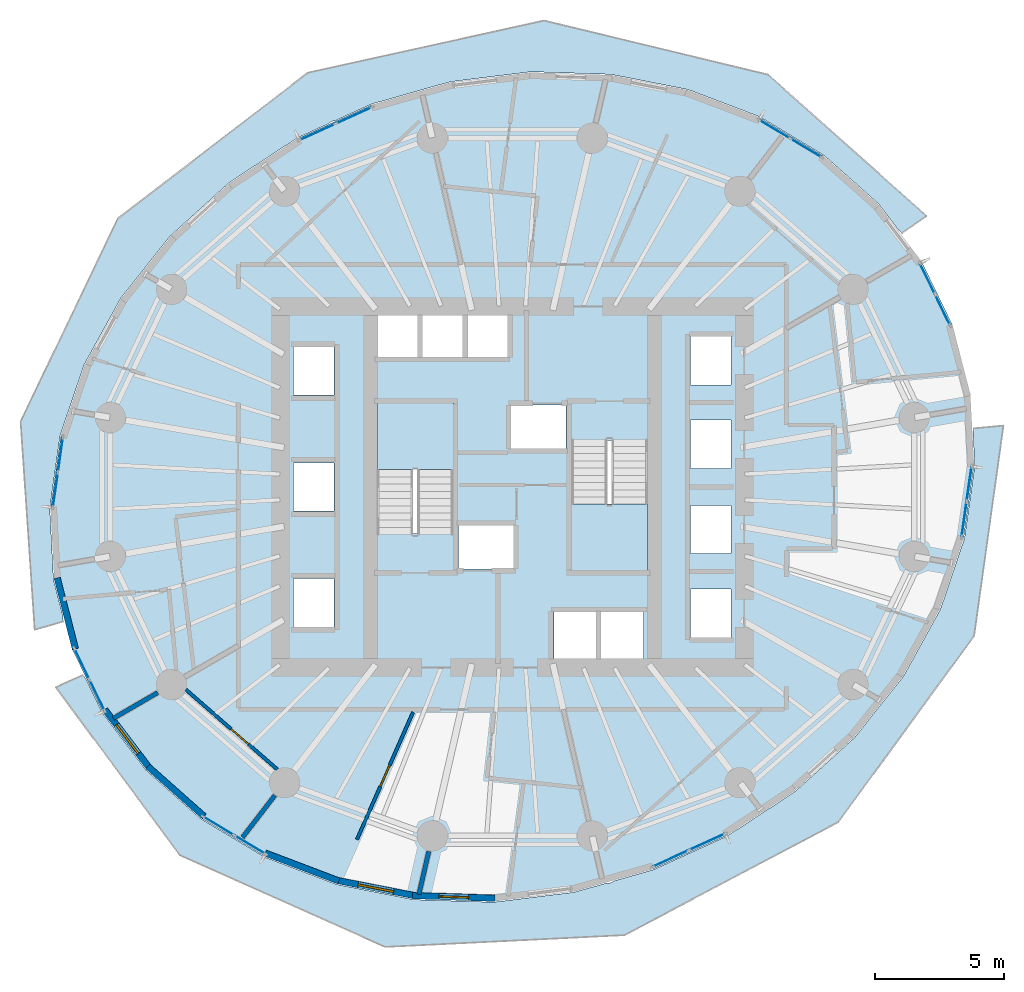
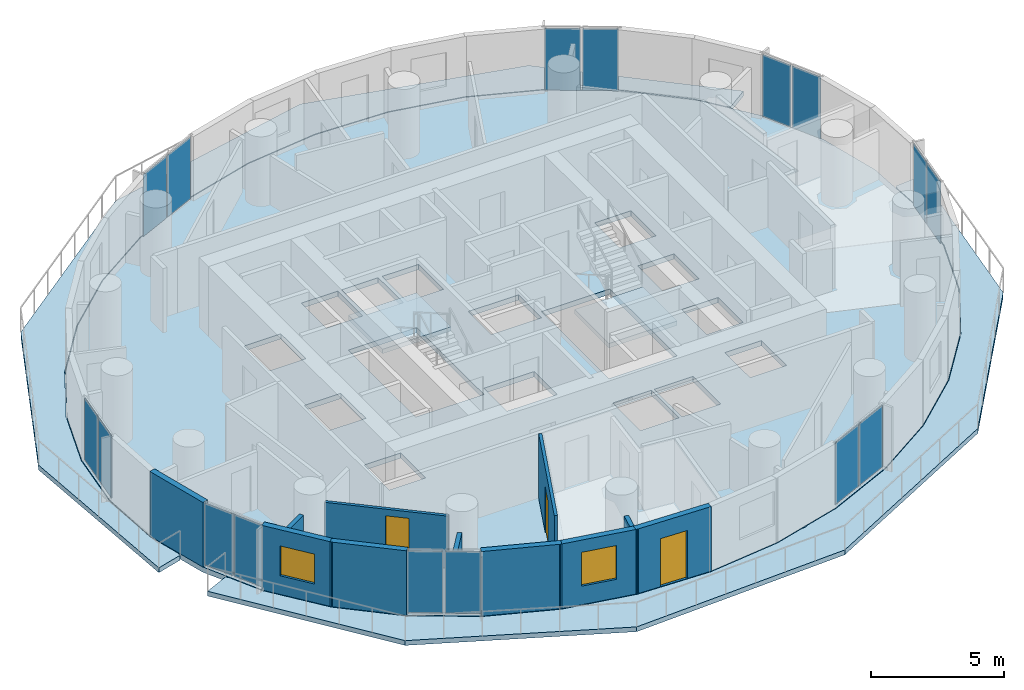
# One storey, part 6 of 14: 16 plates, 11 walls, 5 slabs, 3 doors, 2 windows, 5 openings, 10 elements without a shape of their own.
"""IFC4 building model written with IfcOpenShell, lengths in metres."""

import ifcopenshell
import ifcopenshell.guid

model = None  # the IFC model being written
_history = None  # IfcOwnerHistory: only IFC2X3 demands one
_inside = {}  # id of a spatial element -> (the spatial element, [elements in it])
_under = {}  # id of a project, library or spatial element -> (it, [spatial elements below it])
_declared = {}  # id of a project -> (the project, [libraries it declares])
_typed = {}  # id of a type object -> (the type object, [elements of that type])
_made_of = {}  # id of a material, layer set ... -> (it, [elements and type objects made of it])


def new_model(schema):
    """Start an empty IFC model of exactly this schema.

    Asked for "IFC4X3", IfcOpenShell would pick the latest addendum, in which some entities
    have other attributes; the version numbers below select the first issue.
    IFC2X3 requires an IfcOwnerHistory on every rooted entity: one is made here for all.
    """
    global model, _history
    if schema == "IFC4X3":
        model = ifcopenshell.file(schema_version=(4, 3, 0, 0))
    else:
        model = ifcopenshell.file(schema=schema)
    _inside.clear()
    _under.clear()
    _declared.clear()
    _typed.clear()
    _made_of.clear()
    _history = None
    if model.schema == "IFC2X3":
        org = make("IfcOrganization", Name="unknown")
        user = make(
            "IfcPersonAndOrganization",
            ThePerson=make("IfcPerson", FamilyName="unknown"),
            TheOrganization=org,
        )
        app = make(
            "IfcApplication",
            ApplicationDeveloper=org,
            Version="unknown",
            ApplicationFullName="unknown",
            ApplicationIdentifier="unknown",
        )
        _history = make(
            "IfcOwnerHistory",
            OwningUser=user,
            OwningApplication=app,
            ChangeAction="ADDED",
            CreationDate=0,
        )
    return model


def make(cls, **values):
    """One entity of the class cls with the attributes given. An attribute that is None is left unset."""
    return model.create_entity(
        cls, **{name: value for name, value in values.items() if value is not None}
    )


def rooted(cls, **values):
    """An entity with a GlobalId (a new one), such as an element, a storey or a relation."""
    return make(cls, GlobalId=ifcopenshell.guid.new(), OwnerHistory=_history, **values)


def si_unit(unit_type, name, prefix=None):
    """IfcSIUnit, for example si_unit("LENGTHUNIT", "METRE", prefix="MILLI")."""
    return make("IfcSIUnit", UnitType=unit_type, Prefix=prefix, Name=name)


def assignment(units):
    """IfcUnitAssignment: the units of a project."""
    return None if units is None else make("IfcUnitAssignment", Units=units)


def point(xyz):
    """IfcCartesianPoint."""
    return None if xyz is None else make("IfcCartesianPoint", Coordinates=xyz)


def direction(xyz):
    """IfcDirection."""
    return None if xyz is None else make("IfcDirection", DirectionRatios=xyz)


def frame(location, z_axis=None, x_axis=None):
    """IfcAxis2Placement3D, a coordinate frame: its origin and axes. An axis left out is left unset."""
    return make(
        "IfcAxis2Placement3D",
        Location=point(location),
        Axis=direction(z_axis),
        RefDirection=direction(x_axis),
    )


def frame_2d(location, x_axis=None):
    """IfcAxis2Placement2D, a coordinate frame in the plane: its origin and x axis."""
    return make(
        "IfcAxis2Placement2D", Location=point(location), RefDirection=direction(x_axis)
    )


def origin():
    """The frame at (0, 0, 0) with its axes left unset."""
    return frame((0.0, 0.0, 0.0))


def origin_2d():
    """The frame at (0, 0) in the plane with its x axis left unset."""
    return frame_2d((0.0, 0.0))


def place(relative_to, where):
    """IfcLocalPlacement: puts the frame where relative to a parent placement (None: the world)."""
    return make(
        "IfcLocalPlacement", PlacementRelTo=relative_to, RelativePlacement=where
    )


def context(
    kind, dimensions, precision=None, world=None, true_north=None, identifier=None
):
    """IfcGeometricRepresentationContext, for example the 3D "Model" context."""
    return make(
        "IfcGeometricRepresentationContext",
        ContextIdentifier=identifier,
        ContextType=kind,
        CoordinateSpaceDimension=dimensions,
        Precision=precision,
        WorldCoordinateSystem=world,
        TrueNorth=true_north,
    )


def subcontext(parent, identifier, kind, view, scale=None):
    """IfcGeometricRepresentationSubContext, for example "Body" below "Model"."""
    return make(
        "IfcGeometricRepresentationSubContext",
        ContextIdentifier=identifier,
        ContextType=kind,
        ParentContext=parent,
        TargetScale=scale,
        TargetView=view,
    )


def project(units=None, contexts=None):
    """IfcProject with its units and contexts."""
    return rooted(
        "IfcProject",
        Name="project",
        RepresentationContexts=contexts,
        UnitsInContext=assignment(units),
    )


def spatial(cls, under=None, at=None, **own):
    """A site, building, storey or space (cls), placed at a placement, below another one or the project."""
    s = rooted(cls, ObjectPlacement=at, **own)
    if under is not None:
        _under.setdefault(under.id(), (under, []))[1].append(s)
    return s


def polyline(points):
    """IfcPolyline through the points."""
    return make("IfcPolyline", Points=[point(p) for p in points])


def profile(cls, at=None, kind="AREA", **sizes):
    """A parametric profile (cls). Its sizes go by their IFC names, for example OverallWidth=200.0."""
    return make(cls, ProfileType=kind, Position=at, **sizes)


def rectangle(**sizes):
    """IfcRectangleProfileDef."""
    return profile("IfcRectangleProfileDef", **sizes)


def outline(outer, holes=None, kind="AREA"):
    """IfcArbitraryClosedProfileDef: a profile drawn as a closed curve; with holes, ...WithVoids."""
    if holes is None:
        return make("IfcArbitraryClosedProfileDef", ProfileType=kind, OuterCurve=outer)
    return make(
        "IfcArbitraryProfileDefWithVoids",
        ProfileType=kind,
        OuterCurve=outer,
        InnerCurves=holes,
    )


def extrude(swept, where, along, depth):
    """IfcExtrudedAreaSolid: the profile swept, set in the frame where, extruded along a direction by depth."""
    return make(
        "IfcExtrudedAreaSolid",
        SweptArea=swept,
        Position=where,
        ExtrudedDirection=direction(along),
        Depth=depth,
    )


def shape(context_of_items, identifier, shape_type, items):
    """IfcShapeRepresentation: the items that make up one representation, for example the "Body"."""
    return make(
        "IfcShapeRepresentation",
        ContextOfItems=context_of_items,
        RepresentationIdentifier=identifier,
        RepresentationType=shape_type,
        Items=items,
    )


def material(Name=None, Category=None):
    """IfcMaterial."""
    return make("IfcMaterial", Name=Name, Category=Category)


def layer(
    of_material, thickness, ventilated=None, Name=None, Category=None, Priority=None
):
    """IfcMaterialLayer: one layer of a wall or slab, of a material (None: an air gap)."""
    return make(
        "IfcMaterialLayer",
        Material=of_material,
        LayerThickness=thickness,
        IsVentilated=ventilated,
        Name=Name,
        Category=Category,
        Priority=Priority,
    )


def layer_set(layers, Name=None):
    """IfcMaterialLayerSet."""
    return make("IfcMaterialLayerSet", MaterialLayers=layers, LayerSetName=Name)


def made_of(thing, what):
    """Note that an element or type object is made of a material, layer set ...; save() writes the relation."""
    if what is not None:
        _made_of.setdefault(what.id(), (what, []))[1].append(thing)
    return thing


def type_object(cls, material=None, **own):
    """A type object (cls), such as IfcWallType, which elements share."""
    return made_of(rooted(cls, **own), material)


def element(
    cls,
    number,
    at=None,
    inside=None,
    cuts=None,
    type_object=None,
    material=None,
    context=None,
    identifier="Body",
    shape_type=None,
    held_by="IfcProductDefinitionShape",
    body=None,
    shapes=None,
    **own,
):
    """One element of the class cls, such as IfcWall. Its Tag is "e" and its number.

    at: its placement. inside: the storey or other place that contains it. cuts: it is an
    opening in that element (IfcRelVoidsElement). A single representation is given by context,
    identifier, shape_type and body (its items); several are given by shapes. held_by: the class
    of the entity that holds the representations. save() writes the other relations.
    """
    e = rooted(cls, Tag="e%d" % number, ObjectPlacement=at, **own)
    if body is not None:
        shapes = [shape(context, identifier, shape_type, body)]
    if shapes is not None:
        e.Representation = make(held_by, Representations=shapes)
    if inside is not None:
        _inside.setdefault(inside.id(), (inside, []))[1].append(e)
    if cuts is not None:
        rooted(
            "IfcRelVoidsElement", RelatingBuildingElement=cuts, RelatedOpeningElement=e
        )
    if type_object is not None:
        _typed.setdefault(type_object.id(), (type_object, []))[1].append(e)
    return made_of(e, material)


def fill(opening, filler):
    """IfcRelFillsElement: the door or window that sits in an opening."""
    return rooted(
        "IfcRelFillsElement",
        RelatingOpeningElement=opening,
        RelatedBuildingElement=filler,
    )


def aggregate(whole, parts):
    """IfcRelAggregates: a whole, such as a stair, and the parts it consists of."""
    return rooted("IfcRelAggregates", RelatingObject=whole, RelatedObjects=parts)


def save(model, path):
    """Write the relations noted so far, then the file.

    IfcRelAggregates (storeys below a building ...), IfcRelContainedInSpatialStructure (elements
    in a storey), IfcRelDefinesByType, IfcRelAssociatesMaterial and IfcRelDeclares: one each for
    every whole, place, type object, material and project.
    """
    for whole, parts in _under.values():
        aggregate(whole, parts)
    for where, things in _inside.values():
        rooted(
            "IfcRelContainedInSpatialStructure",
            RelatedElements=things,
            RelatingStructure=where,
        )
    for kind, things in _typed.values():
        rooted("IfcRelDefinesByType", RelatedObjects=things, RelatingType=kind)
    for what, things in _made_of.values():
        rooted("IfcRelAssociatesMaterial", RelatedObjects=things, RelatingMaterial=what)
    for by, libraries in _declared.values():
        rooted("IfcRelDeclares", RelatingContext=by, RelatedDefinitions=libraries)
    model.write(path)


model = new_model("IFC4")

# Units and contexts
model_context = context("Model", 3, precision=1e-05, world=origin(), true_north=direction((0.0, 1.0)))
body_context = subcontext(model_context, "Body", "Model", "MODEL_VIEW")
ifc_project = project(units=[si_unit("LENGTHUNIT", "METRE"), si_unit("AREAUNIT", "SQUARE_METRE"), si_unit("VOLUMEUNIT", "CUBIC_METRE"), si_unit("PLANEANGLEUNIT", "RADIAN"), si_unit("MASSUNIT", "GRAM", prefix="KILO")], contexts=[model_context])

# Site, building, storey
site_placement = place(None, origin())
site = spatial("IfcSite", under=ifc_project, at=site_placement, CompositionType="ELEMENT")
building_placement = place(site_placement, origin())
building = spatial("IfcBuilding", under=site, at=building_placement, Name="Veldorim Arch Residences", CompositionType="ELEMENT")
storey_placement = place(building_placement, frame((0.0, 0.0, 86.8798828125)))
storey = spatial("IfcBuildingStorey", under=building, at=storey_placement, Name="L25", CompositionType="ELEMENT", Elevation=86.8798828125)

# Slabs
ifc_material_1 = material(Name="Concrete C40/50", Category="concrete")
ifc_layer_1 = layer(ifc_material_1, 0.219970703125, Name="Planted Crescent Cantilever Balcony Slab 220")
ifc_layer_set_1 = layer_set([ifc_layer_1], Name="Concrete C40/50")
slab_type_1 = type_object("IfcSlabType", Name="Planted Crescent Cantilever Balcony Slab 220", PredefinedType="FLOOR", material=ifc_layer_set_1)
slab_1_placement = place(storey_placement, frame((0.0, 0.0, -0.219970703125)))
element("IfcSlab", 1, at=slab_1_placement, inside=storey, type_object=slab_type_1, Name="L25 planted crescent balcony slab A", PredefinedType="FLOOR", context=body_context, shape_type="SweptSolid", body=[
    extrude(outline(polyline([(46.990478515625, 33.961181640625), (46.210693359375, 34.984130859375), (44.088134765625, 36.868408203125), (41.5986328125, 38.361328125), (38.8173828125, 39.41796875), (35.82958984375, 40.006103515625), (32.725341796875, 40.10791015625), (29.59912109375, 39.720458984375), (26.5458984375, 38.85546875), (25.1455078125, 38.21728515625), (24.97314453125, 38.177001953125), (24.84033203125, 38.078125), (23.658447265625, 37.53955078125), (21.0244140625, 35.81201171875), (18.723388671875, 33.725830078125), (16.82568359375, 31.343994140625), (15.388916015625, 28.739013671875), (14.456787109375, 25.98974609375), (14.057861328125, 23.1796875), (14.2041015625, 20.39453125), (14.574462890625, 18.952880859375), (14.5751953125, 18.783203125), (13.470458984375, 18.463623046875), (12.923583984375, 26.53662109375), (16.694580078125, 34.413818359375), (24.0673828125, 40.071533203125), (33.231201171875, 42.094970703125), (41.920166015625, 39.998779296875), (48.068359375, 34.513916015625), (47.1259765625, 33.854736328125), (46.990478515625, 33.961181640625)])), origin(), (0.0, 0.0, 1.0), 0.219970703125),
])
slab_2_placement = place(storey_placement, frame((0.0, 0.0, -0.219970703125)))
element("IfcSlab", 2, at=slab_2_placement, inside=storey, type_object=slab_type_1, Name="L25 planted crescent balcony slab B", PredefinedType="FLOOR", context=body_context, shape_type="SweptSolid", body=[
    extrude(outline(polyline([(15.4482421875, 16.57275390625), (16.098876953125, 15.23388671875), (17.789306640625, 13.015869140625), (19.911865234375, 11.131591796875), (22.4013671875, 9.638671875), (25.1826171875, 8.58203125), (28.17041015625, 7.993896484375), (31.274658203125, 7.89208984375), (34.40087890625, 8.279541015625), (35.65087890625, 8.633544921875), (35.815673828125, 8.644287109375), (35.972900390625, 8.724853515625), (37.4541015625, 9.14453125), (40.341552734375, 10.46044921875), (42.9755859375, 12.18798828125), (45.276611328125, 14.274169921875), (47.17431640625, 16.656005859375), (48.611083984375, 19.260986328125), (49.543212890625, 22.01025390625), (49.942138671875, 24.8203125), (49.87451171875, 26.10498046875), (49.9091796875, 26.273681640625), (51.05419921875, 26.380859375), (49.91552734375, 18.220703125), (44.647216796875, 11.000244140625), (36.350830078125, 6.613525390625), (27.06884765625, 6.15673828125), (19.0966796875, 9.722412109375), (14.2900390625, 16.2314453125), (15.339111328125, 16.70263671875), (15.4482421875, 16.57275390625)])), origin(), (0.0, 0.0, 1.0), 0.219970703125),
])

# Stair, slab
ifc_material_2 = material(Name="Concrete C40/50", Category="concrete")
stair_type = type_object("IfcStairType", Name="Reinforced Concrete Dogleg Exit Staircase", PredefinedType="HALF_TURN_STAIR", material=ifc_material_2)
stair_1_placement = place(storey_placement, origin())
stair_1 = element("IfcStair", 3, at=stair_1_placement, inside=storey, type_object=stair_type, Name="L25 Exit Staircase ST-1", PredefinedType="HALF_TURN_STAIR")
ifc_material_3 = material(Name="Concrete C40/50", Category="concrete")
ifc_layer_2 = layer(ifc_material_3, 0.199951171875, Name="Reinforced Concrete Stair Landing 200")
ifc_layer_set_2 = layer_set([ifc_layer_2], Name="Concrete C40/50")
slab_type_2 = type_object("IfcSlabType", Name="Reinforced Concrete Stair Landing 200", PredefinedType="LANDING", material=ifc_layer_set_2)
slab_3_placement = place(storey_placement, frame((0.0, 0.0, 1.400146484375)))
slab_3 = element("IfcSlab", 4, at=slab_3_placement, type_object=slab_type_2, Name="ST-1 landing 1", PredefinedType="LANDING", context=body_context, shape_type="SweptSolid", body=[
    extrude(outline(polyline([(29.7099609375, 24.669921875), (29.7099609375, 27.25), (26.75, 27.25), (26.75, 24.669921875), (29.7099609375, 24.669921875)])), origin(), (0.0, 0.0, 1.0), 0.199951171875),
])
aggregate(stair_1, [slab_3])

stair_2_placement = place(storey_placement, origin())
stair_2 = element("IfcStair", 5, at=stair_2_placement, inside=storey, type_object=stair_type, Name="L25 Exit Staircase ST-2", PredefinedType="HALF_TURN_STAIR")
slab_4_placement = place(storey_placement, frame((0.0, 0.0, 1.400146484375)))
slab_4 = element("IfcSlab", 6, at=slab_4_placement, type_object=slab_type_2, Name="ST-2 landing 1", PredefinedType="LANDING", context=body_context, shape_type="SweptSolid", body=[
    extrude(outline(polyline([(34.2900390625, 23.330078125), (34.2900390625, 20.75), (37.25, 20.75), (37.25, 23.330078125), (34.2900390625, 23.330078125)])), origin(), (0.0, 0.0, 1.0), 0.199951171875),
])
aggregate(stair_2, [slab_4])

# Slab
ifc_material_4 = material(Name="Concrete C40/50", Category="concrete")
ifc_layer_3 = layer(ifc_material_4, 0.239990234375, Name="Typical Residential Floor Slab 240")
ifc_layer_set_3 = layer_set([ifc_layer_3], Name="Concrete C40/50")
slab_type_3 = type_object("IfcSlabType", Name="Typical Residential Floor Slab 240", PredefinedType="FLOOR", material=ifc_layer_set_3)
slab_5_placement = place(storey_placement, frame((0.0, 0.0, -0.239990234375)))
element("IfcSlab", 7, at=slab_5_placement, inside=storey, type_object=slab_type_3, Name="L25 tower structural floor slab", PredefinedType="FLOOR", context=body_context, shape_type="SweptSolid", body=[
    extrude(outline(polyline([(49.0849609375, 30.2724609375), (47.8798828125, 32.752685546875), (46.192138671875, 34.967041015625), (44.0732421875, 36.84814453125), (41.587646484375, 38.3388671875), (38.810546875, 39.393798828125), (35.82666015625, 39.981201171875), (32.726318359375, 40.082763671875), (29.60400390625, 39.69580078125), (26.5546875, 38.83203125), (23.670654296875, 37.517578125), (21.03955078125, 35.792236328125), (18.74169921875, 33.70849609375), (16.8466796875, 31.330078125), (15.412109375, 28.728759765625), (14.481201171875, 25.98388671875), (14.0830078125, 23.1787109375), (14.22900390625, 20.398193359375), (14.9150390625, 17.7275390625), (16.1201171875, 15.247314453125), (17.807861328125, 13.032958984375), (19.9267578125, 11.15185546875), (22.412353515625, 9.6611328125), (25.189453125, 8.606201171875), (28.17333984375, 8.018798828125), (31.273681640625, 7.917236328125), (34.39599609375, 8.30419921875), (37.4453125, 9.16796875), (40.329345703125, 10.482421875), (42.96044921875, 12.207763671875), (45.25830078125, 14.29150390625), (47.1533203125, 16.669921875), (48.587890625, 19.271240234375), (49.518798828125, 22.01611328125), (49.9169921875, 24.8212890625), (49.77099609375, 27.601806640625), (49.0849609375, 30.2724609375)]), holes=[polyline([(23.510009765625, 20.43994140625), (25.090087890625, 20.43994140625), (25.090087890625, 18.56005859375), (23.510009765625, 18.56005859375), (23.510009765625, 20.43994140625)]), polyline([(29.909912109375, 22.544921875), (32.090087890625, 22.544921875), (32.090087890625, 20.81494140625), (29.909912109375, 20.81494140625), (29.909912109375, 22.544921875)]), polyline([(23.510009765625, 24.93994140625), (25.090087890625, 24.93994140625), (25.090087890625, 23.06005859375), (23.510009765625, 23.06005859375), (23.510009765625, 24.93994140625)]), polyline([(26.75, 27.25), (29.7099609375, 27.25), (29.7099609375, 22.195068359375), (26.75, 22.195068359375), (26.75, 27.25)]), polyline([(23.510009765625, 29.43994140625), (25.090087890625, 29.43994140625), (25.090087890625, 27.56005859375), (23.510009765625, 27.56005859375), (23.510009765625, 29.43994140625)]), polyline([(26.760009765625, 30.7900390625), (28.340087890625, 30.7900390625), (28.340087890625, 28.909912109375), (26.760009765625, 28.909912109375), (26.760009765625, 30.7900390625)]), polyline([(28.510009765625, 30.7900390625), (30.090087890625, 30.7900390625), (30.090087890625, 28.909912109375), (28.510009765625, 28.909912109375), (28.510009765625, 30.7900390625)]), polyline([(30.260009765625, 30.7900390625), (31.840087890625, 30.7900390625), (31.840087890625, 28.909912109375), (30.260009765625, 28.909912109375), (30.260009765625, 30.7900390625)]), polyline([(33.610107421875, 19.2900390625), (35.2900390625, 19.2900390625), (35.2900390625, 17.2099609375), (33.610107421875, 17.2099609375), (33.610107421875, 19.2900390625)]), polyline([(35.409912109375, 19.2900390625), (37.090087890625, 19.2900390625), (37.090087890625, 17.2099609375), (35.409912109375, 17.2099609375), (35.409912109375, 19.2900390625)]), polyline([(38.909912109375, 20.0400390625), (40.489990234375, 20.0400390625), (40.489990234375, 18.159912109375), (38.909912109375, 18.159912109375), (38.909912109375, 20.0400390625)]), polyline([(38.909912109375, 23.2900390625), (40.489990234375, 23.2900390625), (40.489990234375, 21.409912109375), (38.909912109375, 21.409912109375), (38.909912109375, 23.2900390625)]), polyline([(34.2900390625, 25.804931640625), (37.25, 25.804931640625), (37.25, 20.75), (34.2900390625, 20.75), (34.2900390625, 25.804931640625)]), polyline([(38.909912109375, 26.590087890625), (40.489990234375, 26.590087890625), (40.489990234375, 24.7099609375), (38.909912109375, 24.7099609375), (38.909912109375, 26.590087890625)]), polyline([(31.909912109375, 27.18505859375), (34.090087890625, 27.18505859375), (34.090087890625, 25.455078125), (31.909912109375, 25.455078125), (31.909912109375, 27.18505859375)]), polyline([(38.909912109375, 29.840087890625), (40.489990234375, 29.840087890625), (40.489990234375, 27.9599609375), (38.909912109375, 27.9599609375), (38.909912109375, 29.840087890625)])]), origin(), (0.0, 0.0, 1.0), 0.239990234375),
])

# Curtain wall, plates
ifc_material_5 = material(Name="Aluminium", Category="aluminium")
curtain_wall_type = type_object("IfcCurtainWallType", Name="Zone 2 Solar-Control Unitised Curtain Wall", PredefinedType="NOTDEFINED", material=ifc_material_5)
curtain_wall_1_placement = place(storey_placement, origin())
curtain_wall_1 = element("IfcCurtainWall", 8, at=curtain_wall_1_placement, inside=storey, type_object=curtain_wall_type, Name="L25 unitised curtain wall bay 01", PredefinedType="NOTDEFINED")
ifc_material_6 = material(Name="Laminated Low-E Glass", Category="glass")
ifc_layer_4 = layer(ifc_material_6, 0.02587890625, Name="Zone 2 Solar-Control Unitised Curtain Wall Glazing Panel 26")
ifc_layer_set_4 = layer_set([ifc_layer_4], Name="Laminated Low-E Glass")
plate_type = type_object("IfcPlateType", Name="Zone 2 Solar-Control Unitised Curtain Wall Glazing Panel 26", PredefinedType="CURTAIN_PANEL", material=ifc_layer_set_4)
plate_1_placement = place(storey_placement, frame((48.107421875, 32.078857421875, 0.065185546875), z_axis=(0.0, 0.0, 1.0), x_axis=(0.437045633403, -0.89943933332, 0.0)))
plate_1 = element("IfcPlate", 9, at=plate_1_placement, type_object=plate_type, Name="CW-Z2 panel 1.1", PredefinedType="CURTAIN_PANEL", context=body_context, shape_type="SweptSolid", body=[
    extrude(rectangle(XDim=1.28125, YDim=0.02587890625, at=origin_2d()), origin(), (0.0, 0.0, 1.0), 2.830078125),
])
plate_2_placement = place(storey_placement, frame((48.69580078125, 30.867919921875, 0.065185546875), z_axis=(0.0, 0.0, 1.0), x_axis=(0.437045633403, -0.89943933332, 0.0)))
plate_2 = element("IfcPlate", 10, at=plate_2_placement, type_object=plate_type, Name="CW-Z2 panel 2.1", PredefinedType="CURTAIN_PANEL", context=body_context, shape_type="SweptSolid", body=[
    extrude(rectangle(XDim=1.28125, YDim=0.02587890625, at=origin_2d()), origin(), (0.0, 0.0, 1.0), 2.830078125),
])
aggregate(curtain_wall_1, [plate_1, plate_2])

curtain_wall_2_placement = place(storey_placement, origin())
curtain_wall_2 = element("IfcCurtainWall", 11, at=curtain_wall_2_placement, inside=storey, type_object=curtain_wall_type, Name="L25 unitised curtain wall bay 04", PredefinedType="NOTDEFINED")
plate_3_placement = place(storey_placement, frame((42.1767578125, 37.880615234375, 0.065185546875), z_axis=(0.0, 0.0, 1.0), x_axis=(0.857602499098, -0.514313089023, 0.0)))
plate_3 = element("IfcPlate", 12, at=plate_3_placement, type_object=plate_type, Name="CW-Z2 panel 1.1", PredefinedType="CURTAIN_PANEL", context=body_context, shape_type="SweptSolid", body=[
    extrude(rectangle(XDim=1.351806640625, YDim=0.02587890625, at=origin_2d()), origin(), (0.0, 0.0, 1.0), 2.830078125),
])
plate_4_placement = place(storey_placement, frame((43.3916015625, 37.15185546875, 0.065185546875), z_axis=(0.0, 0.0, 1.0), x_axis=(0.857602499098, -0.514313089023, 0.0)))
plate_4 = element("IfcPlate", 13, at=plate_4_placement, type_object=plate_type, Name="CW-Z2 panel 2.1", PredefinedType="CURTAIN_PANEL", context=body_context, shape_type="SweptSolid", body=[
    extrude(rectangle(XDim=1.351806640625, YDim=0.02587890625, at=origin_2d()), origin(), (0.0, 0.0, 1.0), 2.830078125),
])
aggregate(curtain_wall_2, [plate_3, plate_4])

curtain_wall_3_placement = place(storey_placement, origin())
curtain_wall_3 = element("IfcCurtainWall", 14, at=curtain_wall_3_placement, inside=storey, type_object=curtain_wall_type, Name="L25 unitised curtain wall bay 10", PredefinedType="NOTDEFINED")
plate_5_placement = place(storey_placement, frame((24.443603515625, 37.77099609375, 0.065185546875), z_axis=(0.0, 0.0, 1.0), x_axis=(0.909939186399, 0.414741699201, 0.0)))
plate_5 = element("IfcPlate", 15, at=plate_5_placement, type_object=plate_type, Name="CW-Z2 panel 1.1", PredefinedType="CURTAIN_PANEL", context=body_context, shape_type="SweptSolid", body=[
    extrude(rectangle(XDim=1.4873046875, YDim=0.02587890625, at=origin_2d()), origin(), (0.0, 0.0, 1.0), 2.830078125),
])
plate_6_placement = place(storey_placement, frame((25.856201171875, 38.414794921875, 0.065185546875), z_axis=(0.0, 0.0, 1.0), x_axis=(0.909939186399, 0.414741699201, 0.0)))
plate_6 = element("IfcPlate", 16, at=plate_6_placement, type_object=plate_type, Name="CW-Z2 panel 2.1", PredefinedType="CURTAIN_PANEL", context=body_context, shape_type="SweptSolid", body=[
    extrude(rectangle(XDim=1.4873046875, YDim=0.02587890625, at=origin_2d()), origin(), (0.0, 0.0, 1.0), 2.830078125),
])
aggregate(curtain_wall_3, [plate_5, plate_6])

curtain_wall_4_placement = place(storey_placement, origin())
curtain_wall_4 = element("IfcCurtainWall", 17, at=curtain_wall_4_placement, inside=storey, type_object=curtain_wall_type, Name="L25 unitised curtain wall bay 16", PredefinedType="NOTDEFINED")
plate_7_placement = place(storey_placement, frame((14.27392578125, 23.88330078125, 0.065185546875), z_axis=(0.0, 0.0, 1.0), x_axis=(0.140571452105, 0.990070536302, 0.0)))
plate_7 = element("IfcPlate", 18, at=plate_7_placement, type_object=plate_type, Name="CW-Z2 panel 1.1", PredefinedType="CURTAIN_PANEL", context=body_context, shape_type="SweptSolid", body=[
    extrude(rectangle(XDim=1.3193359375, YDim=0.02587890625, at=origin_2d()), origin(), (0.0, 0.0, 1.0), 2.830078125),
])
plate_8_placement = place(storey_placement, frame((14.468505859375, 25.25390625, 0.065185546875), z_axis=(0.0, 0.0, 1.0), x_axis=(0.140571452105, 0.990070536302, 0.0)))
plate_8 = element("IfcPlate", 19, at=plate_8_placement, type_object=plate_type, Name="CW-Z2 panel 2.1", PredefinedType="CURTAIN_PANEL", context=body_context, shape_type="SweptSolid", body=[
    extrude(rectangle(XDim=1.3193359375, YDim=0.02587890625, at=origin_2d()), origin(), (0.0, 0.0, 1.0), 2.830078125),
])
aggregate(curtain_wall_4, [plate_7, plate_8])

curtain_wall_5_placement = place(storey_placement, origin())
curtain_wall_5 = element("IfcCurtainWall", 20, at=curtain_wall_5_placement, inside=storey, type_object=curtain_wall_type, Name="L25 unitised curtain wall bay 19", PredefinedType="NOTDEFINED")
plate_9_placement = place(storey_placement, frame((15.892578125, 15.921142578125, 0.065185546875), z_axis=(0.0, 0.0, 1.0), x_axis=(-0.437045633403, 0.89943933332, 0.0)))
plate_9 = element("IfcPlate", 21, at=plate_9_placement, type_object=plate_type, Name="CW-Z2 panel 1.1", PredefinedType="CURTAIN_PANEL", context=body_context, shape_type="SweptSolid", body=[
    extrude(rectangle(XDim=1.28125, YDim=0.02587890625, at=origin_2d()), origin(), (0.0, 0.0, 1.0), 2.830078125),
])
plate_10_placement = place(storey_placement, frame((15.30419921875, 17.132080078125, 0.065185546875), z_axis=(0.0, 0.0, 1.0), x_axis=(-0.437045633403, 0.89943933332, 0.0)))
plate_10 = element("IfcPlate", 22, at=plate_10_placement, type_object=plate_type, Name="CW-Z2 panel 2.1", PredefinedType="CURTAIN_PANEL", context=body_context, shape_type="SweptSolid", body=[
    extrude(rectangle(XDim=1.28125, YDim=0.02587890625, at=origin_2d()), origin(), (0.0, 0.0, 1.0), 2.830078125),
])
aggregate(curtain_wall_5, [plate_9, plate_10])

curtain_wall_6_placement = place(storey_placement, origin())
curtain_wall_6 = element("IfcCurtainWall", 23, at=curtain_wall_6_placement, inside=storey, type_object=curtain_wall_type, Name="L25 unitised curtain wall bay 22", PredefinedType="NOTDEFINED")
plate_11_placement = place(storey_placement, frame((21.8232421875, 10.119384765625, 0.065185546875), z_axis=(0.0, 0.0, 1.0), x_axis=(-0.857602499098, 0.514313089023, 0.0)))
plate_11 = element("IfcPlate", 24, at=plate_11_placement, type_object=plate_type, Name="CW-Z2 panel 1.1", PredefinedType="CURTAIN_PANEL", context=body_context, shape_type="SweptSolid", body=[
    extrude(rectangle(XDim=1.351806640625, YDim=0.02587890625, at=origin_2d()), origin(), (0.0, 0.0, 1.0), 2.830078125),
])
plate_12_placement = place(storey_placement, frame((20.6083984375, 10.84814453125, 0.065185546875), z_axis=(0.0, 0.0, 1.0), x_axis=(-0.857602499098, 0.514313089023, 0.0)))
plate_12 = element("IfcPlate", 25, at=plate_12_placement, type_object=plate_type, Name="CW-Z2 panel 2.1", PredefinedType="CURTAIN_PANEL", context=body_context, shape_type="SweptSolid", body=[
    extrude(rectangle(XDim=1.351806640625, YDim=0.02587890625, at=origin_2d()), origin(), (0.0, 0.0, 1.0), 2.830078125),
])
aggregate(curtain_wall_6, [plate_11, plate_12])

curtain_wall_7_placement = place(storey_placement, origin())
curtain_wall_7 = element("IfcCurtainWall", 26, at=curtain_wall_7_placement, inside=storey, type_object=curtain_wall_type, Name="L25 unitised curtain wall bay 28", PredefinedType="NOTDEFINED")
plate_13_placement = place(storey_placement, frame((39.556396484375, 10.22900390625, 0.065185546875), z_axis=(0.0, 0.0, 1.0), x_axis=(-0.909939186399, -0.414741699201, 0.0)))
plate_13 = element("IfcPlate", 27, at=plate_13_placement, type_object=plate_type, Name="CW-Z2 panel 1.1", PredefinedType="CURTAIN_PANEL", context=body_context, shape_type="SweptSolid", body=[
    extrude(rectangle(XDim=1.4873046875, YDim=0.02587890625, at=origin_2d()), origin(), (0.0, 0.0, 1.0), 2.830078125),
])
plate_14_placement = place(storey_placement, frame((38.143798828125, 9.585205078125, 0.065185546875), z_axis=(0.0, 0.0, 1.0), x_axis=(-0.909939186399, -0.414741699201, 0.0)))
plate_14 = element("IfcPlate", 28, at=plate_14_placement, type_object=plate_type, Name="CW-Z2 panel 2.1", PredefinedType="CURTAIN_PANEL", context=body_context, shape_type="SweptSolid", body=[
    extrude(rectangle(XDim=1.4873046875, YDim=0.02587890625, at=origin_2d()), origin(), (0.0, 0.0, 1.0), 2.830078125),
])
aggregate(curtain_wall_7, [plate_13, plate_14])

curtain_wall_8_placement = place(storey_placement, origin())
curtain_wall_8 = element("IfcCurtainWall", 29, at=curtain_wall_8_placement, inside=storey, type_object=curtain_wall_type, Name="L25 unitised curtain wall bay 34", PredefinedType="NOTDEFINED")
plate_15_placement = place(storey_placement, frame((49.72607421875, 24.11669921875, 0.065185546875), z_axis=(0.0, 0.0, 1.0), x_axis=(-0.140571452105, -0.990070536302, 0.0)))
plate_15 = element("IfcPlate", 30, at=plate_15_placement, type_object=plate_type, Name="CW-Z2 panel 1.1", PredefinedType="CURTAIN_PANEL", context=body_context, shape_type="SweptSolid", body=[
    extrude(rectangle(XDim=1.3193359375, YDim=0.02587890625, at=origin_2d()), origin(), (0.0, 0.0, 1.0), 2.830078125),
])
plate_16_placement = place(storey_placement, frame((49.531494140625, 22.74609375, 0.065185546875), z_axis=(0.0, 0.0, 1.0), x_axis=(-0.140571452105, -0.990070536302, 0.0)))
plate_16 = element("IfcPlate", 31, at=plate_16_placement, type_object=plate_type, Name="CW-Z2 panel 2.1", PredefinedType="CURTAIN_PANEL", context=body_context, shape_type="SweptSolid", body=[
    extrude(rectangle(XDim=1.3193359375, YDim=0.02587890625, at=origin_2d()), origin(), (0.0, 0.0, 1.0), 2.830078125),
])
aggregate(curtain_wall_8, [plate_15, plate_16])

# Wall, opening, door
ifc_material_7 = material(Name="Acoustic Gypsum Board", Category="gypsum")
ifc_layer_5 = layer(ifc_material_7, 0.125, Name="Acoustic Stud Room Partition Wall 125")
ifc_layer_set_5 = layer_set([ifc_layer_5], Name="Acoustic Gypsum Board")
wall_type_1 = type_object("IfcWallType", Name="Acoustic Stud Room Partition Wall 125", PredefinedType="PARTITIONING", material=ifc_layer_set_5)
wall_1_placement = place(storey_placement, frame((25.972900390625, 10.322021484375, 0.0), z_axis=(0.0, 0.0, 1.0), x_axis=(0.403235845427, 0.91509608947, 0.0)))
wall_1 = element("IfcWall", 32, at=wall_1_placement, inside=storey, type_object=wall_type_1, Name="L25 interior wall WL-RES-L25-015", PredefinedType="PARTITIONING", context=body_context, shape_type="SweptSolid", body=[
    extrude(rectangle(XDim=5.396484375, YDim=0.125, at=frame_2d((2.6982421875, 0.0))), origin(), (0.0, 0.0, 1.0), 2.955078125),
])
opening_1_placement = place(wall_1_placement, frame((2.248046875, 0.0, 0.0)))
opening_1 = element("IfcOpeningElement", 33, at=opening_1_placement, cuts=wall_1, Name="Opening DR-INT", PredefinedType="OPENING", context=body_context, shape_type="SweptSolid", body=[
    extrude(rectangle(XDim=0.89990234375, YDim=2.10009765625, at=frame_2d((0.449951171875, 1.050048828125))), frame((0.0, 0.072509765625, 0.0), z_axis=(0.0, -1.0, 0.0), x_axis=(1.0, 0.0, 0.0)), (0.0, 0.0, 1.0), 0.14501953125),
])
ifc_material_8 = material(Name="Engineered Timber", Category="wood")
door_type_1 = type_object("IfcDoorType", Name="Apartment Internal Room Timber Door 900x2100", OperationType="SINGLE_SWING_LEFT", PredefinedType="DOOR", material=ifc_material_8)
door_1_placement = place(opening_1_placement, origin())
door_1 = element("IfcDoor", 34, at=door_1_placement, inside=storey, type_object=door_type_1, Name="L25 interior door DR-RES-L25-003", OperationType="SINGLE_SWING_LEFT", OverallHeight=2.10009765625, OverallWidth=0.89990234375, PredefinedType="DOOR", context=body_context, shape_type="SweptSolid", body=[
    extrude(rectangle(XDim=0.89990234375, YDim=2.10009765625, at=frame_2d((0.449951171875, 1.050048828125))), frame((0.0, 0.02490234375, 0.0), z_axis=(0.0, -1.0, 0.0), x_axis=(1.0, 0.0, 0.0)), (0.0, 0.0, 1.0), 0.050048828125),
])
fill(opening_1, door_1)

wall_2_placement = place(storey_placement, frame((22.8876953125, 13.040283203125, 0.0), z_axis=(0.0, 0.0, 1.0), x_axis=(-0.753425123405, 0.657533712765, 0.0)))
wall_2 = element("IfcWall", 35, at=wall_2_placement, inside=storey, type_object=wall_type_1, Name="L25 interior wall WL-RES-L25-019", PredefinedType="PARTITIONING", context=body_context, shape_type="SweptSolid", body=[
    extrude(rectangle(XDim=4.72021484375, YDim=0.125, at=frame_2d((2.360107421875, 0.0))), origin(), (0.0, 0.0, 1.0), 2.40380859375),
])
opening_2_placement = place(wall_2_placement, frame((1.489990234375, 0.0, 0.0)))
opening_2 = element("IfcOpeningElement", 36, at=opening_2_placement, cuts=wall_2, Name="Opening DR-INT", PredefinedType="OPENING", context=body_context, shape_type="SweptSolid", body=[
    extrude(rectangle(XDim=0.89990234375, YDim=2.10009765625, at=frame_2d((0.449951171875, 1.050048828125))), frame((0.0, 0.072509765625, 0.0), z_axis=(0.0, -1.0, 0.0), x_axis=(1.0, 0.0, 0.0)), (0.0, 0.0, 1.0), 0.14501953125),
])
door_2_placement = place(opening_2_placement, origin())
door_2 = element("IfcDoor", 37, at=door_2_placement, inside=storey, type_object=door_type_1, Name="L25 interior door DR-RES-L25-004", OperationType="SINGLE_SWING_RIGHT", OverallHeight=2.10009765625, OverallWidth=0.89990234375, PredefinedType="DOOR", context=body_context, shape_type="SweptSolid", body=[
    extrude(rectangle(XDim=0.89990234375, YDim=2.10009765625, at=frame_2d((0.449951171875, 1.050048828125))), frame((0.0, 0.02490234375, 0.0), z_axis=(0.0, -1.0, 0.0), x_axis=(1.0, 0.0, 0.0)), (0.0, 0.0, 1.0), 0.050048828125),
])
fill(opening_2, door_2)

# Walls
ifc_material_9 = material(Name="Lightweight Masonry Block & Gypsum", Category="masonry")
ifc_layer_6 = layer(ifc_material_9, 0.179931640625, Name="Compartment & Corridor Fire-Rated Party Wall 180")
ifc_layer_set_6 = layer_set([ifc_layer_6], Name="Lightweight Masonry Block & Gypsum")
wall_type_2 = type_object("IfcWallType", Name="Compartment & Corridor Fire-Rated Party Wall 180", PredefinedType="PARTITIONING", material=ifc_layer_set_6)
wall_3_placement = place(storey_placement, frame((18.243408203125, 16.022216796875, 0.0), z_axis=(0.0, 0.0, 1.0), x_axis=(-0.865046065875, -0.501692439563, 0.0)))
element("IfcWall", 38, at=wall_3_placement, inside=storey, type_object=wall_type_2, Name="L25 interior wall WL-PIER-L25-10", PredefinedType="PARTITIONING", context=body_context, shape_type="SweptSolid", body=[
    extrude(rectangle(XDim=1.994140625, YDim=0.179931640625, at=frame_2d((0.9970703125, 0.0))), origin(), (0.0, 0.0, 1.0), 2.2607421875),
])
wall_4_placement = place(storey_placement, frame((22.7880859375, 12.034423828125, 0.0), z_axis=(0.0, 0.0, 1.0), x_axis=(-0.609991040385, -0.792408310564, 0.0)))
element("IfcWall", 39, at=wall_4_placement, inside=storey, type_object=wall_type_2, Name="L25 interior wall WL-PIER-L25-11", PredefinedType="PARTITIONING", context=body_context, shape_type="SweptSolid", body=[
    extrude(rectangle(XDim=2.0625, YDim=0.179931640625, at=frame_2d((1.03125, 0.0))), origin(), (0.0, 0.0, 1.0), 2.2607421875),
])
wall_5_placement = place(storey_placement, frame((28.759521484375, 9.86083984375, 0.0), z_axis=(0.0, 0.0, 1.0), x_axis=(-0.223359217097, -0.974736200281, 0.0)))
element("IfcWall", 40, at=wall_5_placement, inside=storey, type_object=wall_type_2, Name="L25 interior wall WL-PIER-L25-12", PredefinedType="PARTITIONING", context=body_context, shape_type="SweptSolid", body=[
    extrude(rectangle(XDim=1.711669921875, YDim=0.179931640625, at=frame_2d((0.85595703125, 0.0))), origin(), (0.0, 0.0, 1.0), 2.2607421875),
])
ifc_material_10 = material(Name="Precast concrete C40/50", Category="concrete")
ifc_layer_7 = layer(ifc_material_10, 0.25, Name="Tower Terracotta Spandrel & Pier Wall 250")
ifc_layer_set_7 = layer_set([ifc_layer_7], Name="Precast concrete C40/50")
wall_type_3 = type_object("IfcWallType", Name="Tower Terracotta Spandrel & Pier Wall 250", PredefinedType="SOLIDWALL", material=ifc_layer_set_7)
wall_6_placement = place(storey_placement, frame((15.04736328125, 17.715087890625, 0.0), z_axis=(0.0, 0.0, 1.0), x_axis=(-0.248825035787, 0.96854845081, 0.0)))
element("IfcWall", 41, at=wall_6_placement, inside=storey, type_object=wall_type_3, Name="L25 terracotta facade wall 18", PredefinedType="SOLIDWALL", context=body_context, shape_type="SweptSolid", body=[
    extrude(rectangle(XDim=2.847412109375, YDim=0.25, at=frame_2d((1.423828125, 0.0))), origin(), (0.0, 0.0, 1.0), 2.960205078125),
])

# Wall, opening, window
wall_7_placement = place(storey_placement, frame((17.9345703125, 13.072998046875, 0.0), z_axis=(0.0, 0.0, 1.0), x_axis=(-0.606166055027, 0.795338112838, 0.0)))
wall_7 = element("IfcWall", 42, at=wall_7_placement, inside=storey, type_object=wall_type_3, Name="L25 terracotta facade wall 20", PredefinedType="SOLIDWALL", context=body_context, shape_type="SweptSolid", body=[
    extrude(rectangle(XDim=2.8740234375, YDim=0.25, at=frame_2d((1.43701171875, 0.0))), origin(), (0.0, 0.0, 1.0), 2.960205078125),
])
opening_3_placement = place(wall_7_placement, frame((0.737060546875, 0.0, 0.85009765625)))
opening_3 = element("IfcOpeningElement", 43, at=opening_3_placement, cuts=wall_7, Name="Opening WN-02", PredefinedType="OPENING", context=body_context, shape_type="SweptSolid", body=[
    extrude(rectangle(XDim=1.39990234375, YDim=1.3701171875, at=frame_2d((0.699951171875, 0.68505859375))), frame((0.0, 0.135009765625, 0.0), z_axis=(0.0, -1.0, 0.0), x_axis=(1.0, 0.0, 0.0)), (0.0, 0.0, 1.0), 0.27001953125),
])
ifc_material_11 = material(Name="Laminated Low-E Glass", Category="glass")
window_type = type_object("IfcWindowType", Name="Residential Casement Window 1400x1550", PartitioningType="SINGLE_PANEL", PredefinedType="WINDOW", material=ifc_material_11)
window_1_placement = place(opening_3_placement, origin())
window_1 = element("IfcWindow", 44, at=window_1_placement, inside=storey, type_object=window_type, Name="L25 solar-control facade window 20", OverallHeight=1.3701171875, OverallWidth=1.39990234375, PartitioningType="SINGLE_PANEL", PredefinedType="WINDOW", context=body_context, shape_type="SweptSolid", body=[
    extrude(rectangle(XDim=1.39990234375, YDim=1.3701171875, at=frame_2d((0.699951171875, 0.68505859375))), frame((0.0, 0.030029296875, 0.0), z_axis=(0.0, -1.0, 0.0), x_axis=(1.0, 0.0, 0.0)), (0.0, 0.0, 1.0), 0.06005859375),
])
fill(opening_3, window_1)

# Walls
wall_8_placement = place(storey_placement, frame((20.043212890625, 11.215576171875, 0.0), z_axis=(0.0, 0.0, 1.0), x_axis=(-0.747828492436, 0.663891968547, 0.0)))
element("IfcWall", 45, at=wall_8_placement, inside=storey, type_object=wall_type_3, Name="L25 terracotta facade wall 21", PredefinedType="SOLIDWALL", context=body_context, shape_type="SweptSolid", body=[
    extrude(rectangle(XDim=2.923095703125, YDim=0.25, at=frame_2d((1.46142578125, 0.0))), origin(), (0.0, 0.0, 1.0), 2.960205078125),
])
wall_9_placement = place(storey_placement, frame((25.27587890625, 8.70703125, 0.0), z_axis=(0.0, 0.0, 1.0), x_axis=(-0.934815891493, 0.355132720277, 0.0)))
element("IfcWall", 46, at=wall_9_placement, inside=storey, type_object=wall_type_3, Name="L25 terracotta facade wall 23", PredefinedType="SOLIDWALL", context=body_context, shape_type="SweptSolid", body=[
    extrude(rectangle(XDim=3.060546875, YDim=0.25, at=frame_2d((1.5302734375, 0.0))), origin(), (0.0, 0.0, 1.0), 2.960205078125),
])

# Wall, opening, window
wall_10_placement = place(storey_placement, frame((28.24169921875, 8.1328125, 0.0), z_axis=(0.0, 0.0, 1.0), x_axis=(-0.981187677549, 0.193056316721, 0.0)))
wall_10 = element("IfcWall", 47, at=wall_10_placement, inside=storey, type_object=wall_type_3, Name="L25 terracotta facade wall 24", PredefinedType="SOLIDWALL", context=body_context, shape_type="SweptSolid", body=[
    extrude(rectangle(XDim=3.131103515625, YDim=0.25, at=frame_2d((1.5654296875, 0.0))), origin(), (0.0, 0.0, 1.0), 2.960205078125),
])
opening_4_placement = place(wall_10_placement, frame((0.865966796875, 0.0, 0.85009765625)))
opening_4 = element("IfcOpeningElement", 48, at=opening_4_placement, cuts=wall_10, Name="Opening WN-02", PredefinedType="OPENING", context=body_context, shape_type="SweptSolid", body=[
    extrude(rectangle(XDim=1.39990234375, YDim=1.550048828125, at=frame_2d((0.699951171875, 0.77490234375))), frame((0.0, 0.135009765625, 0.0), z_axis=(0.0, -1.0, 0.0), x_axis=(1.0, 0.0, 0.0)), (0.0, 0.0, 1.0), 0.27001953125),
])
window_2_placement = place(opening_4_placement, origin())
window_2 = element("IfcWindow", 49, at=window_2_placement, inside=storey, type_object=window_type, Name="L25 solar-control facade window 24", OverallHeight=1.550048828125, OverallWidth=1.39990234375, PartitioningType="SINGLE_PANEL", PredefinedType="WINDOW", context=body_context, shape_type="SweptSolid", body=[
    extrude(rectangle(XDim=1.39990234375, YDim=1.550048828125, at=frame_2d((0.699951171875, 0.77490234375))), frame((0.0, 0.030029296875, 0.0), z_axis=(0.0, -1.0, 0.0), x_axis=(1.0, 0.0, 0.0)), (0.0, 0.0, 1.0), 0.06005859375),
])
fill(opening_4, window_2)

# Wall, opening, door
wall_11_placement = place(storey_placement, frame((31.32275390625, 8.040771484375, 0.0), z_axis=(0.0, 0.0, 1.0), x_axis=(-0.999464092211, 0.032734208101, 0.0)))
wall_11 = element("IfcWall", 50, at=wall_11_placement, inside=storey, type_object=wall_type_3, Name="L25 terracotta facade wall 25", PredefinedType="SOLIDWALL", context=body_context, shape_type="SweptSolid", body=[
    extrude(rectangle(XDim=3.192138671875, YDim=0.25, at=frame_2d((1.59619140625, 0.0))), origin(), (0.0, 0.0, 1.0), 2.960205078125),
])
opening_5_placement = place(wall_11_placement, frame((1.02099609375, 0.0, 0.0)))
opening_5 = element("IfcOpeningElement", 51, at=opening_5_placement, cuts=wall_11, Name="Opening BL-DR", PredefinedType="OPENING", context=body_context, shape_type="SweptSolid", body=[
    extrude(rectangle(XDim=1.14990234375, YDim=2.199951171875, at=frame_2d((0.574951171875, 1.10009765625))), frame((0.0, 0.135009765625, 0.0), z_axis=(0.0, -1.0, 0.0), x_axis=(1.0, 0.0, 0.0)), (0.0, 0.0, 1.0), 0.27001953125),
])
ifc_material_12 = material(Name="Aluminium & Low-E Glass", Category="aluminium")
door_type_2 = type_object("IfcDoorType", Name="Glazed Planted Balcony Door 1150x2200", OperationType="SINGLE_SWING_LEFT", PredefinedType="DOOR", material=ifc_material_12)
door_3_placement = place(opening_5_placement, origin())
door_3 = element("IfcDoor", 52, at=door_3_placement, inside=storey, type_object=door_type_2, Name="L25 glazed outdoor terrace door BALC-2", OperationType="SINGLE_SWING_LEFT", OverallHeight=2.199951171875, OverallWidth=1.14990234375, PredefinedType="DOOR", context=body_context, shape_type="SweptSolid", body=[
    extrude(rectangle(XDim=1.14990234375, YDim=2.199951171875, at=frame_2d((0.574951171875, 1.10009765625))), frame((0.0, 0.02490234375, 0.0), z_axis=(0.0, -1.0, 0.0), x_axis=(1.0, 0.0, 0.0)), (0.0, 0.0, 1.0), 0.050048828125),
])
fill(opening_5, door_3)

save(model, "model.ifc")
